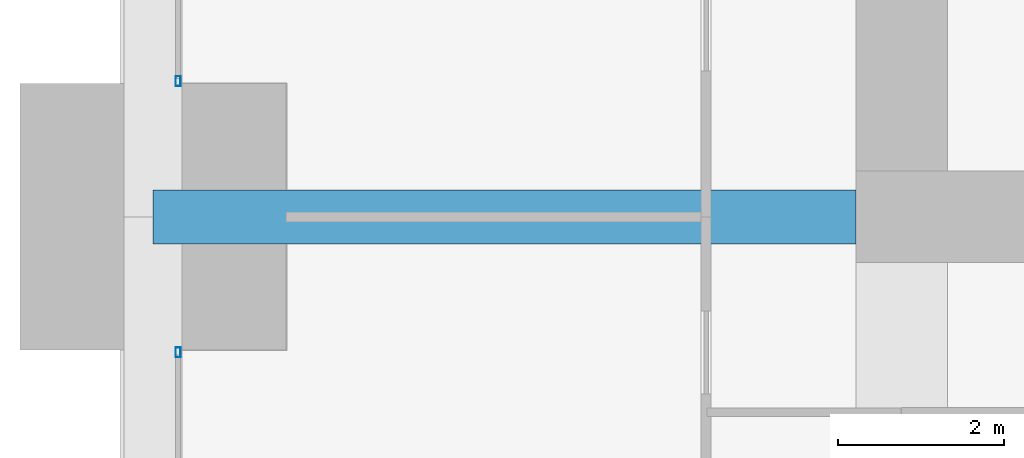
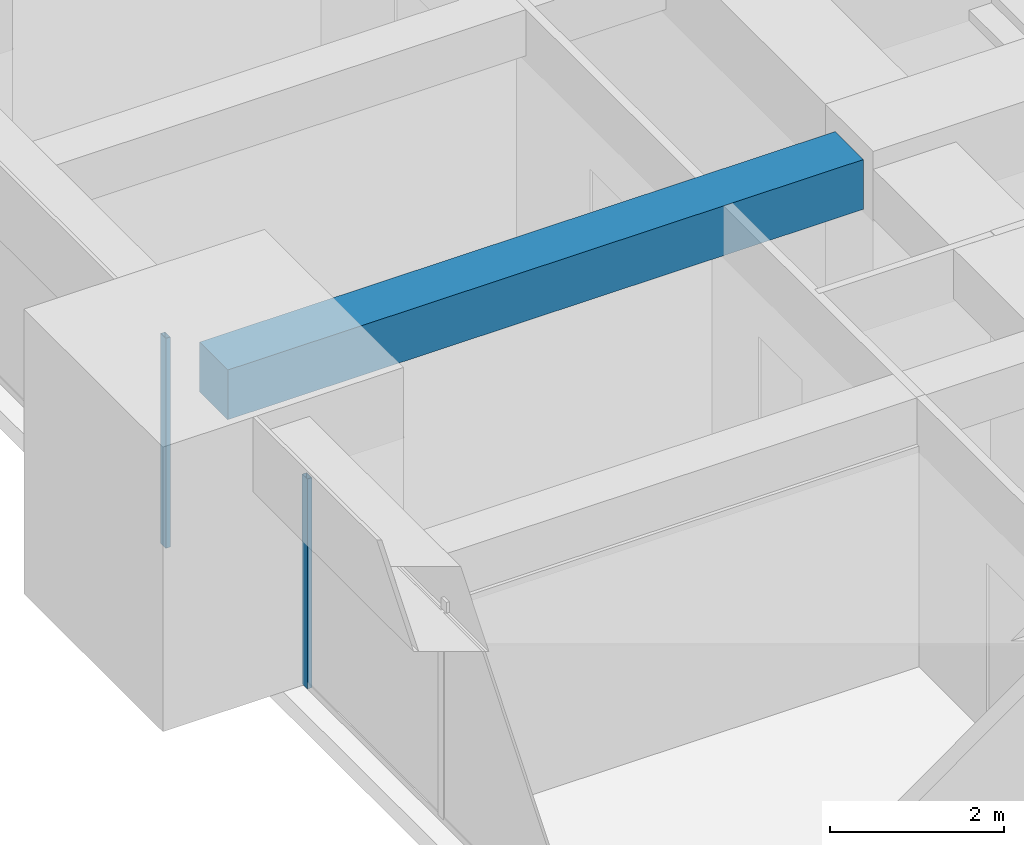
# One storey, part 13 of 43: 2 members, 1 beam, 2 elements without a shape of their own.
"""IFC4 building model written with IfcOpenShell, lengths in metres."""

from ifc_helpers import new_model, si_unit, direction, frame, origin, origin_2d, place, context, subcontext, project, spatial, rectangle, hollow_rectangle, extrude, material, material_profile, profile_set, type_object, element, aggregate, save


model = new_model("IFC4")

# Units and contexts
model_context = context("Model", 3, precision=1e-05, world=origin(), true_north=direction((0.0, 1.0)))
body_context = subcontext(model_context, "Body", "Model", "MODEL_VIEW")
ifc_project = project(units=[si_unit("LENGTHUNIT", "METRE"), si_unit("AREAUNIT", "SQUARE_METRE"), si_unit("VOLUMEUNIT", "CUBIC_METRE"), si_unit("PLANEANGLEUNIT", "RADIAN"), si_unit("MASSUNIT", "GRAM", prefix="KILO")], contexts=[model_context])

# Site, building, storey
site_placement = place(None, origin())
site = spatial("IfcSite", under=ifc_project, at=site_placement, CompositionType="ELEMENT")
building_placement = place(site_placement, origin())
building = spatial("IfcBuilding", under=site, at=building_placement, Name="Zorevar Civic Tower", CompositionType="ELEMENT")
storey_placement = place(building_placement, frame((0.0, 0.0, 243.39990234375)))
storey = spatial("IfcBuildingStorey", under=building, at=storey_placement, Name="L59", CompositionType="ELEMENT", Elevation=243.39990234375)

# Beam
ifc_material_1 = material(Name="Concrete C50/60", Category="concrete")
ifc_material_profile_1 = material_profile(ifc_material_1, rectangle(XDim=0.64990234375, YDim=0.699951171875, at=origin_2d()), Name="RC 650x700")
ifc_profile_set_1 = profile_set([ifc_material_profile_1], Name="Concrete C50/60")
beam_type = type_object("IfcBeamType", Name="Beam RC 650x700", PredefinedType="BEAM", material=ifc_profile_set_1)
beam_placement = place(storey_placement, frame((9.0, 18.0, 3.400146484375), z_axis=(1.0, 0.0, 0.0), x_axis=(0.0, 1.0, 0.0)))
element("IfcBeam", 1, at=beam_placement, inside=storey, type_object=beam_type, Name="Girder L60", PredefinedType="BEAM", context=body_context, shape_type="SweptSolid", body=[
    extrude(rectangle(XDim=0.64990234375, YDim=0.699951171875, at=origin_2d()), origin(), (0.0, 0.0, 1.0), 8.449951171875),
])

# Curtain wall, member
ifc_material_2 = material(Name="Dark grey solar-control glass in black aluminium frame", Category="aluminium")
curtain_wall_type = type_object("IfcCurtainWallType", Name="Curtain wall CW5 top zone", PredefinedType="NOTDEFINED", material=ifc_material_2)
curtain_wall_1_placement = place(storey_placement, origin())
curtain_wall_1 = element("IfcCurtainWall", 2, at=curtain_wall_1_placement, inside=storey, type_object=curtain_wall_type, Name="CW5 L59", PredefinedType="NOTDEFINED")
ifc_material_3 = material(Name="Aluminium, black anodised", Category="aluminium")
ifc_material_profile_2 = material_profile(ifc_material_3, hollow_rectangle(XDim=0.06005859375, YDim=0.1201171875, WallThickness=0.0029296875, at=origin_2d()), Name="AL 120x60x3")
ifc_profile_set_2 = profile_set([ifc_material_profile_2], Name="Aluminium, black anodised")
member_type = type_object("IfcMemberType", Name="CW5 mullion AL 120x60x3", PredefinedType="MULLION", material=ifc_profile_set_2)
member_1_placement = place(storey_placement, frame((9.300048828125, 16.3701171875, 0.0), z_axis=(0.0, 0.0, 1.0), x_axis=(-1.0, 0.0, 0.0)))
member_1 = element("IfcMember", 3, at=member_1_placement, type_object=member_type, Name="CW5 mullion 3", PredefinedType="MULLION", context=body_context, shape_type="SweptSolid", body=[
    extrude(hollow_rectangle(XDim=0.06005859375, YDim=0.1201171875, WallThickness=0.0029296875, at=origin_2d()), origin(), (0.0, 0.0, 1.0), 2.9501953125),
])
aggregate(curtain_wall_1, [member_1])

curtain_wall_2_placement = place(storey_placement, origin())
curtain_wall_2 = element("IfcCurtainWall", 4, at=curtain_wall_2_placement, inside=storey, type_object=curtain_wall_type, Name="CW5 L59", PredefinedType="NOTDEFINED")
member_2_placement = place(storey_placement, frame((9.300048828125, 19.6298828125, 0.0), z_axis=(0.0, 0.0, 1.0), x_axis=(-1.0, 0.0, 0.0)))
member_2 = element("IfcMember", 5, at=member_2_placement, type_object=member_type, Name="CW5 mullion 1", PredefinedType="MULLION", context=body_context, shape_type="SweptSolid", body=[
    extrude(hollow_rectangle(XDim=0.06005859375, YDim=0.1201171875, WallThickness=0.0029296875, at=origin_2d()), origin(), (0.0, 0.0, 1.0), 2.9501953125),
])
aggregate(curtain_wall_2, [member_2])

save(model, "model.ifc")
